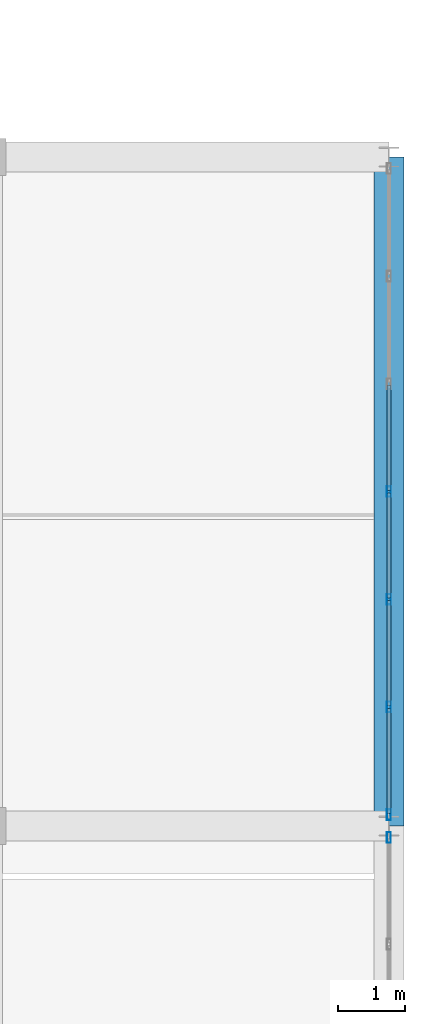
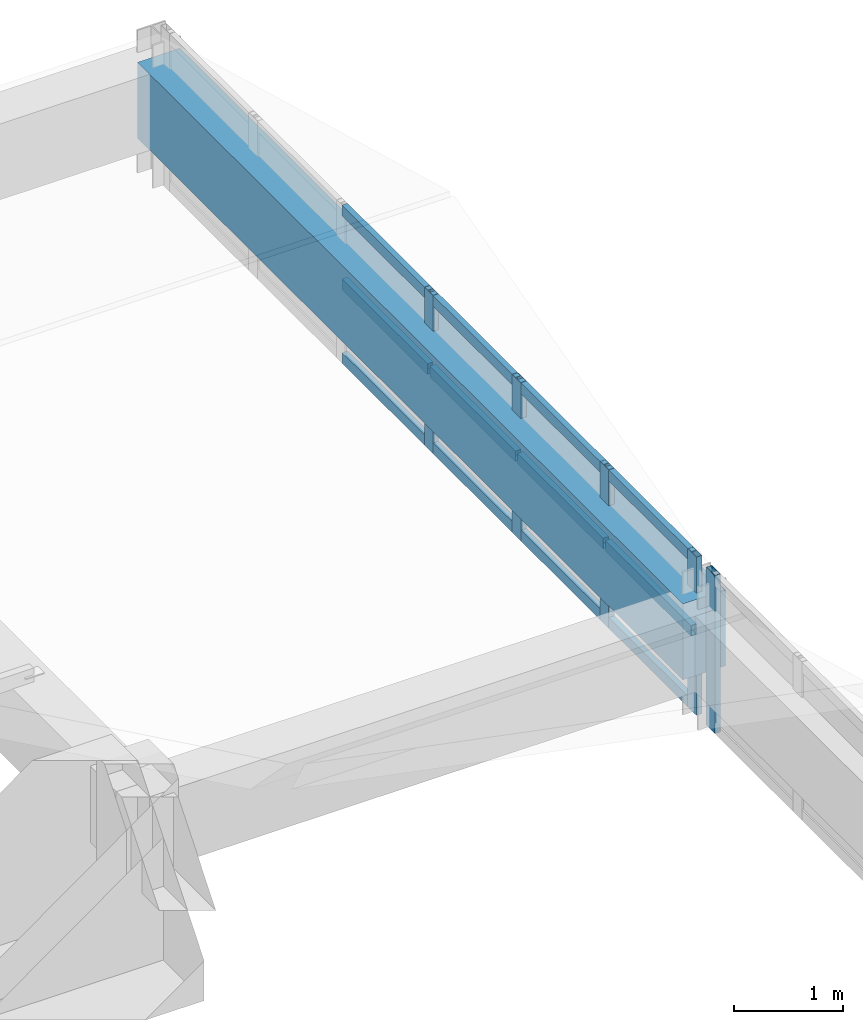
# One storey, part 59 of 82: 17 members, 1 beam, 2 elements without a shape of their own.
"""IFC4 building model written with IfcOpenShell, lengths in metres."""

from ifc_helpers import new_model, si_unit, direction, frame, origin, origin_2d, place, context, subcontext, project, spatial, rectangle, hollow_rectangle, extrude, material, layer, layer_set, material_profile, profile_set, type_object, element, aggregate, save


model = new_model("IFC4")

# Units and contexts
model_context = context("Model", 3, precision=1e-05, world=origin(), true_north=direction((0.0, 1.0)))
body_context = subcontext(model_context, "Body", "Model", "MODEL_VIEW")
ifc_project = project(units=[si_unit("LENGTHUNIT", "METRE"), si_unit("AREAUNIT", "SQUARE_METRE"), si_unit("VOLUMEUNIT", "CUBIC_METRE"), si_unit("PLANEANGLEUNIT", "RADIAN"), si_unit("MASSUNIT", "GRAM", prefix="KILO")], contexts=[model_context])

# Site, building, storey
site_placement = place(None, origin())
site = spatial("IfcSite", under=ifc_project, at=site_placement, CompositionType="ELEMENT")
building_placement = place(site_placement, origin())
building = spatial("IfcBuilding", under=site, at=building_placement, Name="Mersad Railyard Sports Hall", CompositionType="ELEMENT")
storey_placement = place(building_placement, frame((0.0, 0.0, 13.199951171875)))
storey = spatial("IfcBuildingStorey", under=building, at=storey_placement, Name="L03", CompositionType="ELEMENT", Elevation=13.199951171875)

# Curtain wall, member
ifc_material_1 = material(Name="Aluminium 6063-T6", Category="aluminium")
ifc_layer_1 = layer(ifc_material_1, 0.159912109375)
ifc_layer_set_1 = layer_set([ifc_layer_1], Name="Aluminium 6063-T6")
curtain_wall_type_1 = type_object("IfcCurtainWallType", Name="ARC-CW-CW21", PredefinedType="USERDEFINED", material=ifc_layer_set_1)
curtain_wall_1_placement = place(storey_placement, origin())
curtain_wall_1 = element("IfcCurtainWall", 1, at=curtain_wall_1_placement, inside=storey, type_object=curtain_wall_type_1, Name="Curtain wall CW21-0060", ObjectType="CURTAIN WALL", PredefinedType="USERDEFINED")
ifc_material_profile_1 = material_profile(ifc_material_1, hollow_rectangle(XDim=0.06005859375, YDim=0.159912109375, WallThickness=0.00390625, at=origin_2d()), Name="AL MULLION 60x160x4")
ifc_profile_set_1 = profile_set([ifc_material_profile_1], Name="Aluminium 6063-T6")
member_type_1 = type_object("IfcMemberType", Name="ARC-CW-MUL01", PredefinedType="MULLION", material=ifc_profile_set_1)
member_1_placement = place(storey_placement, frame((179.0, 84.830078125, -0.02001953125), z_axis=(0.0, 0.0, 1.0), x_axis=(1.0, 0.0, 0.0)))
member_1 = element("IfcMember", 2, at=member_1_placement, type_object=member_type_1, Name="CW21 Mullion 1", PredefinedType="MULLION", context=body_context, shape_type="SweptSolid", body=[
    extrude(hollow_rectangle(XDim=0.06005859375, YDim=0.159912109375, WallThickness=0.00390625, at=origin_2d()), origin(), (0.0, 0.0, 1.0), 1.77001953125),
])
aggregate(curtain_wall_1, [member_1])

# Curtain wall, members
ifc_layer_2 = layer(ifc_material_1, 0.159912109375)
ifc_layer_set_2 = layer_set([ifc_layer_2], Name="Aluminium 6063-T6")
curtain_wall_type_2 = type_object("IfcCurtainWallType", Name="ARC-CW-CW24", PredefinedType="USERDEFINED", material=ifc_layer_set_2)
curtain_wall_2_placement = place(storey_placement, origin())
curtain_wall_2 = element("IfcCurtainWall", 3, at=curtain_wall_2_placement, inside=storey, type_object=curtain_wall_type_2, Name="Curtain wall CW24-0063", ObjectType="CURTAIN WALL", PredefinedType="USERDEFINED")
member_2_placement = place(storey_placement, frame((179.0, 90.0, -0.02001953125), z_axis=(0.0, 0.0, 1.0), x_axis=(1.0, 0.0, 0.0)))
member_2 = element("IfcMember", 4, at=member_2_placement, type_object=member_type_1, Name="CW24 Mullion 4", PredefinedType="MULLION", context=body_context, shape_type="SweptSolid", body=[
    extrude(hollow_rectangle(XDim=0.06005859375, YDim=0.159912109375, WallThickness=0.00390625, at=origin_2d()), origin(), (0.0, 0.0, 1.0), 1.77001953125),
])
member_3_placement = place(storey_placement, frame((179.0, 88.389892578125, -0.02001953125), z_axis=(0.0, 0.0, 1.0), x_axis=(1.0, 0.0, 0.0)))
member_3 = element("IfcMember", 5, at=member_3_placement, type_object=member_type_1, Name="CW24 Mullion 5", PredefinedType="MULLION", context=body_context, shape_type="SweptSolid", body=[
    extrude(hollow_rectangle(XDim=0.06005859375, YDim=0.159912109375, WallThickness=0.00390625, at=origin_2d()), origin(), (0.0, 0.0, 1.0), 1.77001953125),
])
member_4_placement = place(storey_placement, frame((179.0, 86.780029296875, -0.02001953125), z_axis=(0.0, 0.0, 1.0), x_axis=(1.0, 0.0, 0.0)))
member_4 = element("IfcMember", 6, at=member_4_placement, type_object=member_type_1, Name="CW24 Mullion 6", PredefinedType="MULLION", context=body_context, shape_type="SweptSolid", body=[
    extrude(hollow_rectangle(XDim=0.06005859375, YDim=0.159912109375, WallThickness=0.00390625, at=origin_2d()), origin(), (0.0, 0.0, 1.0), 1.77001953125),
])
member_5_placement = place(storey_placement, frame((179.0, 85.169921875, -0.02001953125), z_axis=(0.0, 0.0, 1.0), x_axis=(1.0, 0.0, 0.0)))
member_5 = element("IfcMember", 7, at=member_5_placement, type_object=member_type_1, Name="CW24 Mullion 7", PredefinedType="MULLION", context=body_context, shape_type="SweptSolid", body=[
    extrude(hollow_rectangle(XDim=0.06005859375, YDim=0.159912109375, WallThickness=0.00390625, at=origin_2d()), origin(), (0.0, 0.0, 1.0), 1.77001953125),
])
ifc_material_profile_2 = material_profile(ifc_material_1, hollow_rectangle(XDim=0.06005859375, YDim=0.1201171875, WallThickness=0.00390625, at=origin_2d()), Name="AL TRANSOM 60x120x4")
ifc_profile_set_2 = profile_set([ifc_material_profile_2], Name="Aluminium 6063-T6")
member_type_2 = type_object("IfcMemberType", Name="ARC-CW-TRN01", PredefinedType="USERDEFINED", material=ifc_profile_set_2)
member_6_placement = place(storey_placement, frame((179.0, 91.590087890625, 0.0400390625), z_axis=(0.0, -1.0, 0.0), x_axis=(1.0, 0.0, 0.0)))
member_6 = element("IfcMember", 8, at=member_6_placement, type_object=member_type_2, Name="CW24 Transom 1-3", ObjectType="TRANSOM", PredefinedType="USERDEFINED", context=body_context, shape_type="SweptSolid", body=[
    extrude(hollow_rectangle(XDim=0.06005859375, YDim=0.1201171875, WallThickness=0.00390625, at=origin_2d()), origin(), (0.0, 0.0, 1.0), 1.570068359375),
])
member_7_placement = place(storey_placement, frame((179.0, 89.97998046875, 0.0400390625), z_axis=(0.0, -1.0, 0.0), x_axis=(1.0, 0.0, 0.0)))
member_7 = element("IfcMember", 9, at=member_7_placement, type_object=member_type_2, Name="CW24 Transom 1-4", ObjectType="TRANSOM", PredefinedType="USERDEFINED", context=body_context, shape_type="SweptSolid", body=[
    extrude(hollow_rectangle(XDim=0.06005859375, YDim=0.1201171875, WallThickness=0.00390625, at=origin_2d()), origin(), (0.0, 0.0, 1.0), 1.570068359375),
])
member_8_placement = place(storey_placement, frame((179.0, 88.3701171875, 0.0400390625), z_axis=(0.0, -1.0, 0.0), x_axis=(1.0, 0.0, 0.0)))
member_8 = element("IfcMember", 10, at=member_8_placement, type_object=member_type_2, Name="CW24 Transom 1-5", ObjectType="TRANSOM", PredefinedType="USERDEFINED", context=body_context, shape_type="SweptSolid", body=[
    extrude(hollow_rectangle(XDim=0.06005859375, YDim=0.1201171875, WallThickness=0.00390625, at=origin_2d()), origin(), (0.0, 0.0, 1.0), 1.570068359375),
])
member_9_placement = place(storey_placement, frame((179.0, 86.760009765625, 0.0400390625), z_axis=(0.0, -1.0, 0.0), x_axis=(1.0, 0.0, 0.0)))
member_9 = element("IfcMember", 11, at=member_9_placement, type_object=member_type_2, Name="CW24 Transom 1-6", ObjectType="TRANSOM", PredefinedType="USERDEFINED", context=body_context, shape_type="SweptSolid", body=[
    extrude(hollow_rectangle(XDim=0.06005859375, YDim=0.1201171875, WallThickness=0.00390625, at=origin_2d()), origin(), (0.0, 0.0, 1.0), 1.570068359375),
])
member_10_placement = place(storey_placement, frame((179.0, 91.590087890625, 0.864990234375), z_axis=(0.0, -1.0, 0.0), x_axis=(1.0, 0.0, 0.0)))
member_10 = element("IfcMember", 12, at=member_10_placement, type_object=member_type_2, Name="CW24 Transom 2-3", ObjectType="TRANSOM", PredefinedType="USERDEFINED", context=body_context, shape_type="SweptSolid", body=[
    extrude(hollow_rectangle(XDim=0.06005859375, YDim=0.1201171875, WallThickness=0.00390625, at=origin_2d()), origin(), (0.0, 0.0, 1.0), 1.570068359375),
])
member_11_placement = place(storey_placement, frame((179.0, 89.97998046875, 0.864990234375), z_axis=(0.0, -1.0, 0.0), x_axis=(1.0, 0.0, 0.0)))
member_11 = element("IfcMember", 13, at=member_11_placement, type_object=member_type_2, Name="CW24 Transom 2-4", ObjectType="TRANSOM", PredefinedType="USERDEFINED", context=body_context, shape_type="SweptSolid", body=[
    extrude(hollow_rectangle(XDim=0.06005859375, YDim=0.1201171875, WallThickness=0.00390625, at=origin_2d()), origin(), (0.0, 0.0, 1.0), 1.570068359375),
])
member_12_placement = place(storey_placement, frame((179.0, 88.3701171875, 0.864990234375), z_axis=(0.0, -1.0, 0.0), x_axis=(1.0, 0.0, 0.0)))
member_12 = element("IfcMember", 14, at=member_12_placement, type_object=member_type_2, Name="CW24 Transom 2-5", ObjectType="TRANSOM", PredefinedType="USERDEFINED", context=body_context, shape_type="SweptSolid", body=[
    extrude(hollow_rectangle(XDim=0.06005859375, YDim=0.1201171875, WallThickness=0.00390625, at=origin_2d()), origin(), (0.0, 0.0, 1.0), 1.570068359375),
])
member_13_placement = place(storey_placement, frame((179.0, 86.760009765625, 0.864990234375), z_axis=(0.0, -1.0, 0.0), x_axis=(1.0, 0.0, 0.0)))
member_13 = element("IfcMember", 15, at=member_13_placement, type_object=member_type_2, Name="CW24 Transom 2-6", ObjectType="TRANSOM", PredefinedType="USERDEFINED", context=body_context, shape_type="SweptSolid", body=[
    extrude(hollow_rectangle(XDim=0.06005859375, YDim=0.1201171875, WallThickness=0.00390625, at=origin_2d()), origin(), (0.0, 0.0, 1.0), 1.570068359375),
])
member_14_placement = place(storey_placement, frame((179.0, 91.590087890625, 1.68994140625), z_axis=(0.0, -1.0, 0.0), x_axis=(1.0, 0.0, 0.0)))
member_14 = element("IfcMember", 16, at=member_14_placement, type_object=member_type_2, Name="CW24 Transom 3-3", ObjectType="TRANSOM", PredefinedType="USERDEFINED", context=body_context, shape_type="SweptSolid", body=[
    extrude(hollow_rectangle(XDim=0.06005859375, YDim=0.1201171875, WallThickness=0.00390625, at=origin_2d()), origin(), (0.0, 0.0, 1.0), 1.570068359375),
])
member_15_placement = place(storey_placement, frame((179.0, 89.97998046875, 1.68994140625), z_axis=(0.0, -1.0, 0.0), x_axis=(1.0, 0.0, 0.0)))
member_15 = element("IfcMember", 17, at=member_15_placement, type_object=member_type_2, Name="CW24 Transom 3-4", ObjectType="TRANSOM", PredefinedType="USERDEFINED", context=body_context, shape_type="SweptSolid", body=[
    extrude(hollow_rectangle(XDim=0.06005859375, YDim=0.1201171875, WallThickness=0.00390625, at=origin_2d()), origin(), (0.0, 0.0, 1.0), 1.570068359375),
])
member_16_placement = place(storey_placement, frame((179.0, 88.3701171875, 1.68994140625), z_axis=(0.0, -1.0, 0.0), x_axis=(1.0, 0.0, 0.0)))
member_16 = element("IfcMember", 18, at=member_16_placement, type_object=member_type_2, Name="CW24 Transom 3-5", ObjectType="TRANSOM", PredefinedType="USERDEFINED", context=body_context, shape_type="SweptSolid", body=[
    extrude(hollow_rectangle(XDim=0.06005859375, YDim=0.1201171875, WallThickness=0.00390625, at=origin_2d()), origin(), (0.0, 0.0, 1.0), 1.570068359375),
])
member_17_placement = place(storey_placement, frame((179.0, 86.760009765625, 1.68994140625), z_axis=(0.0, -1.0, 0.0), x_axis=(1.0, 0.0, 0.0)))
member_17 = element("IfcMember", 19, at=member_17_placement, type_object=member_type_2, Name="CW24 Transom 3-6", ObjectType="TRANSOM", PredefinedType="USERDEFINED", context=body_context, shape_type="SweptSolid", body=[
    extrude(hollow_rectangle(XDim=0.06005859375, YDim=0.1201171875, WallThickness=0.00390625, at=origin_2d()), origin(), (0.0, 0.0, 1.0), 1.570068359375),
])
aggregate(curtain_wall_2, [member_2, member_3, member_4, member_5, member_6, member_7, member_8, member_9, member_10, member_11, member_12, member_13, member_14, member_15, member_16, member_17])

# Beam
ifc_material_2 = material(Name="Concrete C40/50", Category="concrete")
ifc_material_profile_3 = material_profile(ifc_material_2, rectangle(XDim=0.449951171875, YDim=0.85009765625, at=origin_2d()), Name="RC 450x850")
ifc_profile_set_3 = profile_set([ifc_material_profile_3], Name="Concrete C40/50")
beam_type = type_object("IfcBeamType", Name="STR-BM-B02", PredefinedType="BEAM", material=ifc_profile_set_3)
beam_placement = place(storey_placement, frame((179.0, 85.0, 0.925048828125), z_axis=(0.0, 1.0, 0.0), x_axis=(-1.0, 0.0, 0.0)))
element("IfcBeam", 20, at=beam_placement, inside=storey, type_object=beam_type, Name="Beam B02-0920", PredefinedType="BEAM", context=body_context, shape_type="SweptSolid", body=[
    extrude(rectangle(XDim=0.449951171875, YDim=0.85009765625, at=origin_2d()), origin(), (0.0, 0.0, 1.0), 10.0),
])

save(model, "model.ifc")
